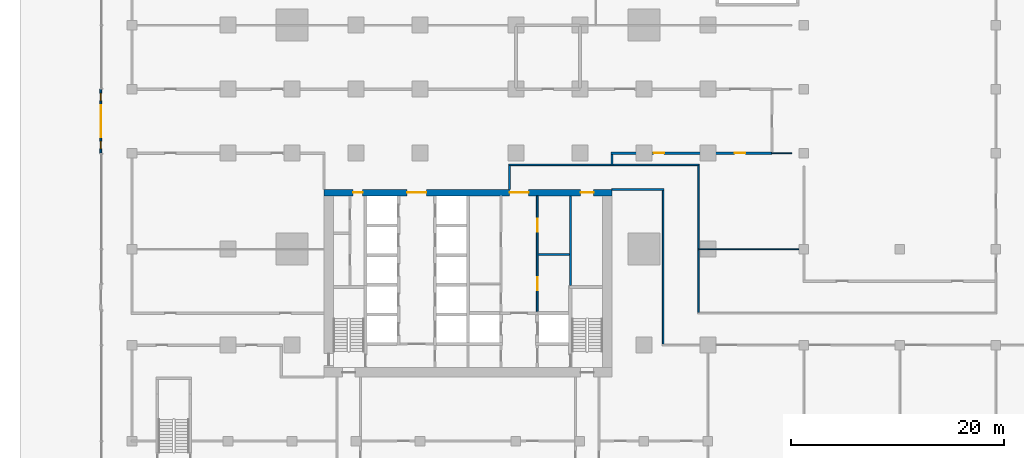
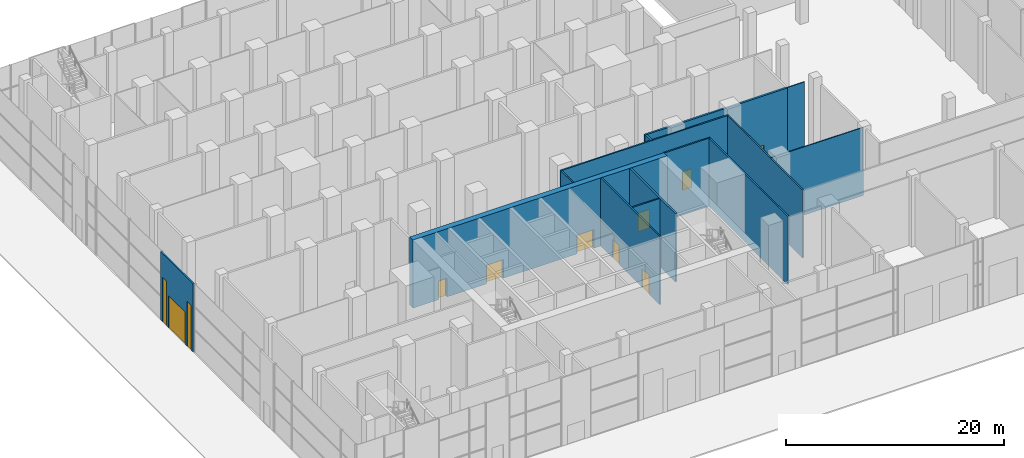
# One storey, part 20 of 29: 14 walls, 9 doors, 2 windows, 11 openings.
"""IFC4 building model written with IfcOpenShell, lengths in metres."""

from ifc_helpers import new_model, si_unit, direction, frame, frame_2d, origin, place, context, subcontext, project, spatial, rectangle, extrude, material, layer, layer_set, type_object, element, fill, save


model = new_model("IFC4")

# Units and contexts
model_context = context("Model", 3, precision=1e-05, world=origin(), true_north=direction((0.0, 1.0)))
body_context = subcontext(model_context, "Body", "Model", "MODEL_VIEW")
ifc_project = project(units=[si_unit("LENGTHUNIT", "METRE"), si_unit("AREAUNIT", "SQUARE_METRE"), si_unit("VOLUMEUNIT", "CUBIC_METRE"), si_unit("PLANEANGLEUNIT", "RADIAN"), si_unit("MASSUNIT", "GRAM", prefix="KILO")], contexts=[model_context])

# Site, building, storey
site_placement = place(None, origin())
site = spatial("IfcSite", under=ifc_project, at=site_placement, CompositionType="ELEMENT")
building_placement = place(site_placement, origin())
building = spatial("IfcBuilding", under=site, at=building_placement, Name="Finial Court Residences", CompositionType="ELEMENT")
storey_placement = place(building_placement, origin())
storey = spatial("IfcBuildingStorey", under=building, at=storey_placement, Name="L00", CompositionType="ELEMENT", Elevation=0.0)

# Wall, openings, doors
ifc_material_1 = material(Name="Concrete C80/95", Category="concrete")
ifc_layer_1 = layer(ifc_material_1, 0.60009765625)
ifc_layer_set_1 = layer_set([ifc_layer_1], Name="Core outer wall 600 Concrete C80/95")
wall_type_1 = type_object("IfcWallType", Name="Core outer wall 600 Concrete C80/95", PredefinedType="SHEAR", material=ifc_layer_set_1)
wall_1_placement = place(storey_placement, frame((-13.5, -8.199951171875, 0.0), z_axis=(0.0, 0.0, 1.0), x_axis=(1.0, 0.0, 0.0)))
wall_1 = element("IfcWall", 1, at=wall_1_placement, inside=storey, type_object=wall_type_1, Name="Core outer wall L00-02", PredefinedType="SHEAR", context=body_context, shape_type="SweptSolid", body=[
    extrude(rectangle(XDim=27.0, YDim=0.60009765625, at=frame_2d((13.5, 0.0))), origin(), (0.0, 0.0, 1.0), 7.64990234375),
])
opening_1_placement = place(wall_1_placement, frame((7.800048828125, 0.0, 0.0)))
opening_1 = element("IfcOpeningElement", 2, at=opening_1_placement, cuts=wall_1, Name="Opening L00-C06", PredefinedType="OPENING", context=body_context, shape_type="SweptSolid", body=[
    extrude(rectangle(XDim=1.800048828125, YDim=2.10009765625, at=frame_2d((0.89990234375, 1.050048828125))), frame((0.0, 0.31005859375, 0.0), z_axis=(0.0, -1.0, 0.0), x_axis=(1.0, 0.0, 0.0)), (0.0, 0.0, 1.0), 0.6201171875),
])
opening_2_placement = place(wall_1_placement, frame((17.39990234375, 0.0, 0.0)))
opening_2 = element("IfcOpeningElement", 3, at=opening_2_placement, cuts=wall_1, Name="Opening L00-C07", PredefinedType="OPENING", context=body_context, shape_type="SweptSolid", body=[
    extrude(rectangle(XDim=1.800048828125, YDim=2.10009765625, at=frame_2d((0.89990234375, 1.050048828125))), frame((0.0, 0.31005859375, 0.0), z_axis=(0.0, -1.0, 0.0), x_axis=(1.0, 0.0, 0.0)), (0.0, 0.0, 1.0), 0.6201171875),
])
opening_3_placement = place(wall_1_placement, frame((2.72509765625, 0.0, 0.0)))
opening_3 = element("IfcOpeningElement", 4, at=opening_3_placement, cuts=wall_1, Name="Opening L00-C10", PredefinedType="OPENING", context=body_context, shape_type="SweptSolid", body=[
    extrude(rectangle(XDim=0.89990234375, YDim=2.10009765625, at=frame_2d((0.449951171875, 1.050048828125))), frame((0.0, 0.31005859375, 0.0), z_axis=(0.0, -1.0, 0.0), x_axis=(1.0, 0.0, 0.0)), (0.0, 0.0, 1.0), 0.6201171875),
])
opening_4_placement = place(wall_1_placement, frame((24.074951171875, 0.0, 0.0)))
opening_4 = element("IfcOpeningElement", 5, at=opening_4_placement, cuts=wall_1, Name="Opening L00-C11", PredefinedType="OPENING", context=body_context, shape_type="SweptSolid", body=[
    extrude(rectangle(XDim=1.199951171875, YDim=2.10009765625, at=frame_2d((0.60009765625, 1.050048828125))), frame((0.0, 0.31005859375, 0.0), z_axis=(0.0, -1.0, 0.0), x_axis=(1.0, 0.0, 0.0)), (0.0, 0.0, 1.0), 0.6201171875),
])
ifc_material_2 = material(Name="Steel fire door", Category="steel")
door_type_1 = type_object("IfcDoorType", Name="Lift lobby door 1800 x 2100 EI 60", OperationType="DOUBLE_DOOR_SINGLE_SWING", PredefinedType="DOOR", material=ifc_material_2)
door_1_placement = place(opening_1_placement, origin())
door_1 = element("IfcDoor", 6, at=door_1_placement, inside=storey, type_object=door_type_1, Name="Lift lobby door L00-C06", OperationType="DOUBLE_DOOR_SINGLE_SWING", OverallHeight=2.10009765625, OverallWidth=1.800048828125, PredefinedType="DOOR", context=body_context, shape_type="SweptSolid", body=[
    extrude(rectangle(XDim=1.800048828125, YDim=2.10009765625, at=frame_2d((0.89990234375, 1.050048828125))), frame((0.0, 0.02490234375, 0.0), z_axis=(0.0, -1.0, 0.0), x_axis=(1.0, 0.0, 0.0)), (0.0, 0.0, 1.0), 0.050048828125),
])
fill(opening_1, door_1)
door_2_placement = place(opening_2_placement, origin())
door_2 = element("IfcDoor", 7, at=door_2_placement, inside=storey, type_object=door_type_1, Name="Lift lobby door L00-C07", OperationType="DOUBLE_DOOR_SINGLE_SWING", OverallHeight=2.10009765625, OverallWidth=1.800048828125, PredefinedType="DOOR", context=body_context, shape_type="SweptSolid", body=[
    extrude(rectangle(XDim=1.800048828125, YDim=2.10009765625, at=frame_2d((0.89990234375, 1.050048828125))), frame((0.0, 0.02490234375, 0.0), z_axis=(0.0, -1.0, 0.0), x_axis=(1.0, 0.0, 0.0)), (0.0, 0.0, 1.0), 0.050048828125),
])
fill(opening_2, door_2)
door_type_2 = type_object("IfcDoorType", Name="Riser room door 1200 x 2100 EI 90", OperationType="NOTDEFINED", PredefinedType="DOOR", material=ifc_material_2)
door_3_placement = place(opening_4_placement, origin())
door_3 = element("IfcDoor", 8, at=door_3_placement, inside=storey, type_object=door_type_2, Name="Riser room door L00-C11", OperationType="SINGLE_SWING_RIGHT", OverallHeight=2.10009765625, OverallWidth=1.199951171875, PredefinedType="DOOR", context=body_context, shape_type="SweptSolid", body=[
    extrude(rectangle(XDim=1.199951171875, YDim=2.10009765625, at=frame_2d((0.60009765625, 1.050048828125))), frame((0.0, 0.02490234375, 0.0), z_axis=(0.0, -1.0, 0.0), x_axis=(1.0, 0.0, 0.0)), (0.0, 0.0, 1.0), 0.050048828125),
])
fill(opening_4, door_3)
door_type_3 = type_object("IfcDoorType", Name="Riser room door 900 x 2100 EI 90", OperationType="NOTDEFINED", PredefinedType="DOOR", material=ifc_material_2)
door_4_placement = place(opening_3_placement, origin())
door_4 = element("IfcDoor", 9, at=door_4_placement, inside=storey, type_object=door_type_3, Name="Riser room door L00-C10", OperationType="SINGLE_SWING_RIGHT", OverallHeight=2.10009765625, OverallWidth=0.89990234375, PredefinedType="DOOR", context=body_context, shape_type="SweptSolid", body=[
    extrude(rectangle(XDim=0.89990234375, YDim=2.10009765625, at=frame_2d((0.449951171875, 1.050048828125))), frame((0.0, 0.02490234375, 0.0), z_axis=(0.0, -1.0, 0.0), x_axis=(1.0, 0.0, 0.0)), (0.0, 0.0, 1.0), 0.050048828125),
])
fill(opening_3, door_4)

# Wall
ifc_material_3 = material(Name="Fire-rated gypsum board partition")
ifc_layer_2 = layer(ifc_material_3, 0.14990234375)
ifc_layer_set_2 = layer_set([ifc_layer_2], Name="Core room partition 150 EI 60")
wall_type_2 = type_object("IfcWallType", Name="Core room partition 150 EI 60", PredefinedType="PARTITIONING", material=ifc_layer_set_2)
wall_2_placement = place(storey_placement, frame((6.574951171875, -14.0, 0.0), z_axis=(0.0, 0.0, 1.0), x_axis=(1.0, 0.0, 0.0)))
element("IfcWall", 10, at=wall_2_placement, inside=storey, type_object=wall_type_2, Name="Core partition L00-17", PredefinedType="PARTITIONING", context=body_context, shape_type="SweptSolid", body=[
    extrude(rectangle(XDim=2.925048828125, YDim=0.14990234375, at=frame_2d((1.46240234375, 0.0))), origin(), (0.0, 0.0, 1.0), 7.64990234375),
])

# Wall, openings, doors
wall_3_placement = place(storey_placement, frame((6.5, -8.5, 0.0), z_axis=(0.0, 0.0, 1.0), x_axis=(0.0, -1.0, 0.0)))
wall_3 = element("IfcWall", 11, at=wall_3_placement, inside=storey, type_object=wall_type_2, Name="Core partition L00-35", PredefinedType="PARTITIONING", context=body_context, shape_type="SweptSolid", body=[
    extrude(rectangle(XDim=10.85009765625, YDim=0.14990234375, at=frame_2d((5.425048828125, 0.0))), origin(), (0.0, 0.0, 1.0), 7.64990234375),
])
opening_5_placement = place(wall_3_placement, frame((7.64990234375, 0.0, 0.0)))
opening_5 = element("IfcOpeningElement", 12, at=opening_5_placement, cuts=wall_3, Name="Opening L00-C16", PredefinedType="OPENING", context=body_context, shape_type="SweptSolid", body=[
    extrude(rectangle(XDim=1.199951171875, YDim=2.10009765625, at=frame_2d((0.60009765625, 1.050048828125))), frame((0.0, 0.0849609375, 0.0), z_axis=(0.0, -1.0, 0.0), x_axis=(1.0, 0.0, 0.0)), (0.0, 0.0, 1.0), 0.169921875),
])
opening_6_placement = place(wall_3_placement, frame((2.14990234375, 0.0, 0.0)))
opening_6 = element("IfcOpeningElement", 13, at=opening_6_placement, cuts=wall_3, Name="Opening L00-C17", PredefinedType="OPENING", context=body_context, shape_type="SweptSolid", body=[
    extrude(rectangle(XDim=1.199951171875, YDim=2.10009765625, at=frame_2d((0.60009765625, 1.050048828125))), frame((0.0, 0.0849609375, 0.0), z_axis=(0.0, -1.0, 0.0), x_axis=(1.0, 0.0, 0.0)), (0.0, 0.0, 1.0), 0.169921875),
])
door_type_4 = type_object("IfcDoorType", Name="Core room door 1200 x 2100 EI 60", OperationType="NOTDEFINED", PredefinedType="DOOR", material=ifc_material_2)
door_5_placement = place(opening_5_placement, origin())
door_5 = element("IfcDoor", 14, at=door_5_placement, inside=storey, type_object=door_type_4, Name="Core room door L00-C16", OperationType="SINGLE_SWING_RIGHT", OverallHeight=2.10009765625, OverallWidth=1.199951171875, PredefinedType="DOOR", context=body_context, shape_type="SweptSolid", body=[
    extrude(rectangle(XDim=1.199951171875, YDim=2.10009765625, at=frame_2d((0.60009765625, 1.050048828125))), frame((0.0, 0.02490234375, 0.0), z_axis=(0.0, -1.0, 0.0), x_axis=(1.0, 0.0, 0.0)), (0.0, 0.0, 1.0), 0.050048828125),
])
fill(opening_5, door_5)
door_6_placement = place(opening_6_placement, origin())
door_6 = element("IfcDoor", 15, at=door_6_placement, inside=storey, type_object=door_type_4, Name="Core room door L00-C17", OperationType="SINGLE_SWING_RIGHT", OverallHeight=2.10009765625, OverallWidth=1.199951171875, PredefinedType="DOOR", context=body_context, shape_type="SweptSolid", body=[
    extrude(rectangle(XDim=1.199951171875, YDim=2.10009765625, at=frame_2d((0.60009765625, 1.050048828125))), frame((0.0, 0.02490234375, 0.0), z_axis=(0.0, -1.0, 0.0), x_axis=(1.0, 0.0, 0.0)), (0.0, 0.0, 1.0), 0.050048828125),
])
fill(opening_6, door_6)

ifc_material_4 = material(Name="Gypsum board")
ifc_layer_3 = layer(ifc_material_4, 0.02490234375)
ifc_material_5 = material(Name="Acoustic mineral wool in double frame")
ifc_layer_4 = layer(ifc_material_5, 0.14990234375)
ifc_layer_5 = layer(ifc_material_4, 0.02490234375)
ifc_layer_set_3 = layer_set([ifc_layer_3, ifc_layer_4, ifc_layer_5], Name="Corridor wall 200, 1 hour")
wall_type_3 = type_object("IfcWallType", Name="Corridor wall 200, 1 hour", PredefinedType="PARTITIONING", material=ifc_layer_set_3)
wall_4_placement = place(storey_placement, frame((13.39990234375, -4.5, 0.0), z_axis=(0.0, 0.0, 1.0), x_axis=(1.0, 0.0, 0.0)))
wall_4 = element("IfcWall", 16, at=wall_4_placement, inside=storey, type_object=wall_type_3, Name="Partition L00-013", PredefinedType="PARTITIONING", context=body_context, shape_type="SweptSolid", body=[
    extrude(rectangle(XDim=15.10009765625, YDim=0.199951171875, at=frame_2d((7.550048828125, 0.0))), origin(), (0.0, 0.0, 1.0), 7.64990234375),
])
opening_7_placement = place(wall_4_placement, frame((4.0, 0.0, 0.0)))
opening_7 = element("IfcOpeningElement", 17, at=opening_7_placement, cuts=wall_4, Name="Opening L00-D013", PredefinedType="OPENING", context=body_context, shape_type="SweptSolid", body=[
    extrude(rectangle(XDim=1.0, YDim=2.10009765625, at=frame_2d((0.5, 1.050048828125))), frame((0.0, 0.10986328125, 0.0), z_axis=(0.0, -1.0, 0.0), x_axis=(1.0, 0.0, 0.0)), (0.0, 0.0, 1.0), 0.219970703125),
])
opening_8_placement = place(wall_4_placement, frame((11.60009765625, 0.0, 0.0)))
opening_8 = element("IfcOpeningElement", 18, at=opening_8_placement, cuts=wall_4, Name="Opening L00-D014", PredefinedType="OPENING", context=body_context, shape_type="SweptSolid", body=[
    extrude(rectangle(XDim=1.0, YDim=2.10009765625, at=frame_2d((0.5, 1.050048828125))), frame((0.0, 0.10986328125, 0.0), z_axis=(0.0, -1.0, 0.0), x_axis=(1.0, 0.0, 0.0)), (0.0, 0.0, 1.0), 0.219970703125),
])
ifc_material_6 = material(Name="Timber door leaf in hollow metal frame", Category="wood")
door_type_5 = type_object("IfcDoorType", Name="Fire door set 1000 x 2100, 30 minutes", OperationType="SINGLE_SWING_LEFT", PredefinedType="DOOR", material=ifc_material_6)
door_7_placement = place(opening_7_placement, origin())
door_7 = element("IfcDoor", 19, at=door_7_placement, inside=storey, type_object=door_type_5, Name="Door L00-D013", OperationType="SINGLE_SWING_LEFT", OverallHeight=2.10009765625, OverallWidth=1.0, PredefinedType="DOOR", context=body_context, shape_type="SweptSolid", body=[
    extrude(rectangle(XDim=1.0, YDim=2.10009765625, at=frame_2d((0.5, 1.050048828125))), frame((0.0, 0.02490234375, 0.0), z_axis=(0.0, -1.0, 0.0), x_axis=(1.0, 0.0, 0.0)), (0.0, 0.0, 1.0), 0.050048828125),
])
fill(opening_7, door_7)
door_8_placement = place(opening_8_placement, origin())
door_8 = element("IfcDoor", 20, at=door_8_placement, inside=storey, type_object=door_type_5, Name="Door L00-D014", OperationType="SINGLE_SWING_RIGHT", OverallHeight=2.10009765625, OverallWidth=1.0, PredefinedType="DOOR", context=body_context, shape_type="SweptSolid", body=[
    extrude(rectangle(XDim=1.0, YDim=2.10009765625, at=frame_2d((0.5, 1.050048828125))), frame((0.0, 0.02490234375, 0.0), z_axis=(0.0, -1.0, 0.0), x_axis=(1.0, 0.0, 0.0)), (0.0, 0.0, 1.0), 0.050048828125),
])
fill(opening_8, door_8)

# Wall
wall_5_placement = place(storey_placement, frame((13.5, -5.60009765625, 0.0), z_axis=(0.0, 0.0, 1.0), x_axis=(0.0, 1.0, 0.0)))
element("IfcWall", 21, at=wall_5_placement, inside=storey, type_object=wall_type_3, Name="Partition L00-046", PredefinedType="PARTITIONING", context=body_context, shape_type="SweptSolid", body=[
    extrude(rectangle(XDim=1.0, YDim=0.199951171875, at=frame_2d((0.5, 0.0))), origin(), (0.0, 0.0, 1.0), 7.64990234375),
])

# Wall, openings, door, windows
ifc_material_7 = material(Name="Natural limestone", Category="masonry")
ifc_layer_6 = layer(ifc_material_7, 0.14990234375)
ifc_layer_set_4 = layer_set([ifc_layer_6], Name="Entrance portal wall, limestone 150")
wall_type_4 = type_object("IfcWallType", Name="Entrance portal wall, limestone 150", PredefinedType="SOLIDWALL", material=ifc_layer_set_4)
wall_6_placement = place(storey_placement, frame((-34.425048828125, -4.5, 0.0), z_axis=(0.0, 0.0, 1.0), x_axis=(0.0, 1.0, 0.0)))
wall_6 = element("IfcWall", 22, at=wall_6_placement, inside=storey, type_object=wall_type_4, Name="E-L00-ENT13", PredefinedType="SOLIDWALL", context=body_context, shape_type="SweptSolid", body=[
    extrude(rectangle(XDim=6.0, YDim=0.14990234375, at=frame_2d((3.0, 0.0))), origin(), (0.0, 0.0, 1.0), 7.64990234375),
])
opening_9_placement = place(wall_6_placement, frame((1.5, 0.0, 0.0)))
opening_9 = element("IfcOpeningElement", 23, at=opening_9_placement, cuts=wall_6, Name="Opening DE00-13", PredefinedType="OPENING", context=body_context, shape_type="SweptSolid", body=[
    extrude(rectangle(XDim=3.0, YDim=3.60009765625, at=frame_2d((1.5, 1.800048828125))), frame((0.0, 0.0849609375, 0.0), z_axis=(0.0, -1.0, 0.0), x_axis=(1.0, 0.0, 0.0)), (0.0, 0.0, 1.0), 0.169921875),
])
opening_10_placement = place(wall_6_placement, frame((0.39990234375, 0.0, 0.0)))
opening_10 = element("IfcOpeningElement", 24, at=opening_10_placement, cuts=wall_6, Name="Opening WE00-05", PredefinedType="OPENING", context=body_context, shape_type="SweptSolid", body=[
    extrude(rectangle(XDim=0.699951171875, YDim=5.0, at=frame_2d((0.35009765625, 2.5))), frame((0.0, 0.0849609375, 0.0), z_axis=(0.0, -1.0, 0.0), x_axis=(1.0, 0.0, 0.0)), (0.0, 0.0, 1.0), 0.169921875),
])
opening_11_placement = place(wall_6_placement, frame((4.89990234375, 0.0, 0.0)))
opening_11 = element("IfcOpeningElement", 25, at=opening_11_placement, cuts=wall_6, Name="Opening WE00-06", PredefinedType="OPENING", context=body_context, shape_type="SweptSolid", body=[
    extrude(rectangle(XDim=0.699951171875, YDim=5.0, at=frame_2d((0.35009765625, 2.5))), frame((0.0, 0.0849609375, 0.0), z_axis=(0.0, -1.0, 0.0), x_axis=(1.0, 0.0, 0.0)), (0.0, 0.0, 1.0), 0.169921875),
])
ifc_material_8 = material(Name="Bronze anodised aluminium", Category="aluminium")
door_type_6 = type_object("IfcDoorType", Name="Entrance door set 3000 x 3600", OperationType="DOUBLE_DOOR_SINGLE_SWING", PredefinedType="DOOR", material=ifc_material_8)
door_9_placement = place(opening_9_placement, origin())
door_9 = element("IfcDoor", 26, at=door_9_placement, inside=storey, type_object=door_type_6, Name="E-L00-ENT13-D", OperationType="DOUBLE_DOOR_SINGLE_SWING", OverallHeight=3.60009765625, OverallWidth=3.0, PredefinedType="DOOR", context=body_context, shape_type="SweptSolid", body=[
    extrude(rectangle(XDim=3.0, YDim=3.60009765625, at=frame_2d((1.5, 1.800048828125))), frame((0.0, 0.02490234375, 0.0), z_axis=(0.0, -1.0, 0.0), x_axis=(1.0, 0.0, 0.0)), (0.0, 0.0, 1.0), 0.050048828125),
])
fill(opening_9, door_9)
ifc_material_9 = material(Name="Clear low-e glass", Category="glass")
window_type = type_object("IfcWindowType", Name="Entrance side light 700 x 5000", PartitioningType="SINGLE_PANEL", PredefinedType="WINDOW", material=ifc_material_9)
window_1_placement = place(opening_10_placement, origin())
window_1 = element("IfcWindow", 27, at=window_1_placement, inside=storey, type_object=window_type, Name="E-L00-ENT13-W1", OverallHeight=5.0, OverallWidth=0.699951171875, PartitioningType="SINGLE_PANEL", PredefinedType="WINDOW", context=body_context, shape_type="SweptSolid", body=[
    extrude(rectangle(XDim=0.699951171875, YDim=5.0, at=frame_2d((0.35009765625, 2.5))), frame((0.0, 0.030029296875, 0.0), z_axis=(0.0, -1.0, 0.0), x_axis=(1.0, 0.0, 0.0)), (0.0, 0.0, 1.0), 0.06005859375),
])
fill(opening_10, window_1)
window_2_placement = place(opening_11_placement, origin())
window_2 = element("IfcWindow", 28, at=window_2_placement, inside=storey, type_object=window_type, Name="E-L00-ENT13-W2", OverallHeight=5.0, OverallWidth=0.699951171875, PartitioningType="SINGLE_PANEL", PredefinedType="WINDOW", context=body_context, shape_type="SweptSolid", body=[
    extrude(rectangle(XDim=0.699951171875, YDim=5.0, at=frame_2d((0.35009765625, 2.5))), frame((0.0, 0.030029296875, 0.0), z_axis=(0.0, -1.0, 0.0), x_axis=(1.0, 0.0, 0.0)), (0.0, 0.0, 1.0), 0.06005859375),
])
fill(opening_11, window_2)

# Walls
ifc_layer_7 = layer(ifc_material_4, 0.012451171875)
ifc_material_10 = material(Name="Mineral wool in light-gauge frame")
ifc_layer_8 = layer(ifc_material_10, 0.074951171875)
ifc_layer_9 = layer(ifc_material_4, 0.012451171875)
ifc_layer_set_5 = layer_set([ifc_layer_7, ifc_layer_8, ifc_layer_9], Name="Gypsum board partition 100")
wall_type_5 = type_object("IfcWallType", Name="Gypsum board partition 100", PredefinedType="PARTITIONING", material=ifc_layer_set_5)
wall_7_placement = place(storey_placement, frame((21.60009765625, -13.5, 0.0), z_axis=(0.0, 0.0, 1.0), x_axis=(1.0, 0.0, 0.0)))
element("IfcWall", 29, at=wall_7_placement, inside=storey, type_object=wall_type_5, Name="Partition L00-011", PredefinedType="PARTITIONING", context=body_context, shape_type="SweptSolid", body=[
    extrude(rectangle(XDim=9.7998046875, YDim=0.10009765625, at=frame_2d((4.89990234375, 0.0))), origin(), (0.0, 0.0, 1.0), 7.64990234375),
])
wall_8_placement = place(storey_placement, frame((28.5, -4.5, 0.0), z_axis=(0.0, 0.0, 1.0), x_axis=(1.0, 0.0, 0.0)))
element("IfcWall", 30, at=wall_8_placement, inside=storey, type_object=wall_type_5, Name="Partition L00-014", PredefinedType="PARTITIONING", context=body_context, shape_type="SweptSolid", body=[
    extrude(rectangle(XDim=1.85009765625, YDim=0.10009765625, at=frame_2d((0.925048828125, 0.0))), origin(), (0.0, 0.0, 1.0), 7.64990234375),
])
ifc_layer_10 = layer(ifc_material_3, 0.199951171875)
ifc_layer_set_6 = layer_set([ifc_layer_10], Name="Riser room wall 200 EI 120")
wall_type_6 = type_object("IfcWallType", Name="Riser room wall 200 EI 120", PredefinedType="PARTITIONING", material=ifc_layer_set_6)
wall_9_placement = place(storey_placement, frame((9.60009765625, -16.89990234375, 0.0), z_axis=(0.0, 0.0, 1.0), x_axis=(0.0, 1.0, 0.0)))
element("IfcWall", 31, at=wall_9_placement, inside=storey, type_object=wall_type_6, Name="Core partition L00-37", PredefinedType="PARTITIONING", context=body_context, shape_type="SweptSolid", body=[
    extrude(rectangle(XDim=8.39990234375, YDim=0.199951171875, at=frame_2d((4.199951171875, 0.0))), origin(), (0.0, 0.0, 1.0), 7.64990234375),
])
ifc_material_11 = material(Name="Concrete C25/30", Category="concrete")
ifc_layer_11 = layer(ifc_material_11, 0.14990234375)
ifc_layer_set_7 = layer_set([ifc_layer_11], Name="Service partition 150 Concrete C25/30")
wall_type_7 = type_object("IfcWallType", Name="Service partition 150 Concrete C25/30", PredefinedType="PARTITIONING", material=ifc_layer_set_7)
wall_10_placement = place(storey_placement, frame((13.5, -7.89990234375, 0.0), z_axis=(0.0, 0.0, 1.0), x_axis=(1.0, 0.0, 0.0)))
element("IfcWall", 32, at=wall_10_placement, inside=storey, type_object=wall_type_7, Name="Service partition L00-V010", PredefinedType="PARTITIONING", context=body_context, shape_type="SweptSolid", body=[
    extrude(rectangle(XDim=4.875, YDim=0.14990234375, at=frame_2d((2.4375, 0.0))), origin(), (0.0, 0.0, 1.0), 7.64990234375),
])
wall_11_placement = place(storey_placement, frame((3.824951171875, -5.60009765625, 0.0), z_axis=(0.0, 0.0, 1.0), x_axis=(1.0, 0.0, 0.0)))
element("IfcWall", 33, at=wall_11_placement, inside=storey, type_object=wall_type_7, Name="Service partition L00-V011", PredefinedType="PARTITIONING", context=body_context, shape_type="SweptSolid", body=[
    extrude(rectangle(XDim=17.85009765625, YDim=0.14990234375, at=frame_2d((8.925048828125, 0.0))), origin(), (0.0, 0.0, 1.0), 7.64990234375),
])
wall_12_placement = place(storey_placement, frame((3.89990234375, -7.89990234375, 0.0), z_axis=(0.0, 0.0, 1.0), x_axis=(0.0, 1.0, 0.0)))
element("IfcWall", 34, at=wall_12_placement, inside=storey, type_object=wall_type_7, Name="Service partition L00-V025", PredefinedType="PARTITIONING", context=body_context, shape_type="SweptSolid", body=[
    extrude(rectangle(XDim=2.224853515625, YDim=0.14990234375, at=frame_2d((1.1123046875, 0.0))), origin(), (0.0, 0.0, 1.0), 7.64990234375),
])
wall_13_placement = place(storey_placement, frame((18.300048828125, -22.425048828125, 0.0), z_axis=(0.0, 0.0, 1.0), x_axis=(0.0, 1.0, 0.0)))
element("IfcWall", 35, at=wall_13_placement, inside=storey, type_object=wall_type_7, Name="Service partition L00-V026", PredefinedType="PARTITIONING", context=body_context, shape_type="SweptSolid", body=[
    extrude(rectangle(XDim=14.449951171875, YDim=0.14990234375, at=frame_2d((7.22509765625, 0.0))), origin(), (0.0, 0.0, 1.0), 7.64990234375),
])
wall_14_placement = place(storey_placement, frame((21.60009765625, -19.425048828125, 0.0), z_axis=(0.0, 0.0, 1.0), x_axis=(0.0, 1.0, 0.0)))
element("IfcWall", 36, at=wall_14_placement, inside=storey, type_object=wall_type_7, Name="Service partition L00-V027", PredefinedType="PARTITIONING", context=body_context, shape_type="SweptSolid", body=[
    extrude(rectangle(XDim=13.75, YDim=0.14990234375, at=frame_2d((6.875, 0.0))), origin(), (0.0, 0.0, 1.0), 7.64990234375),
])

save(model, "model.ifc")
